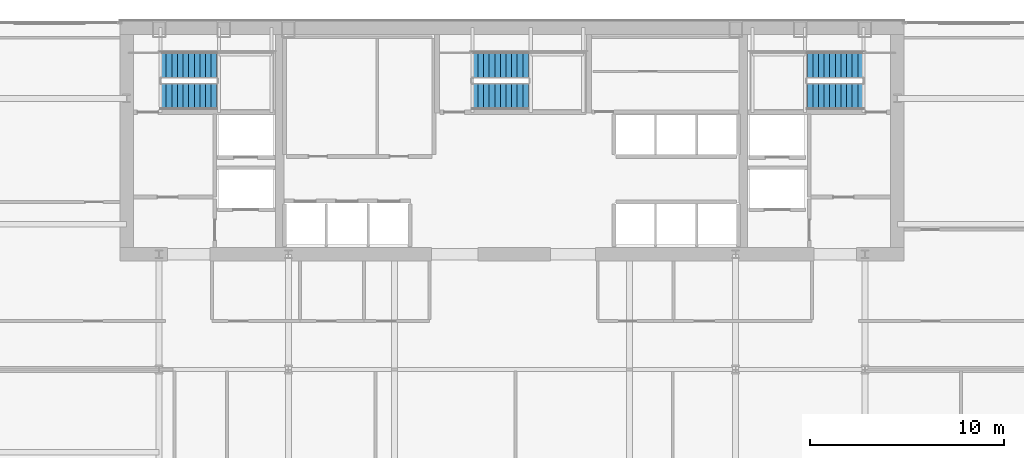
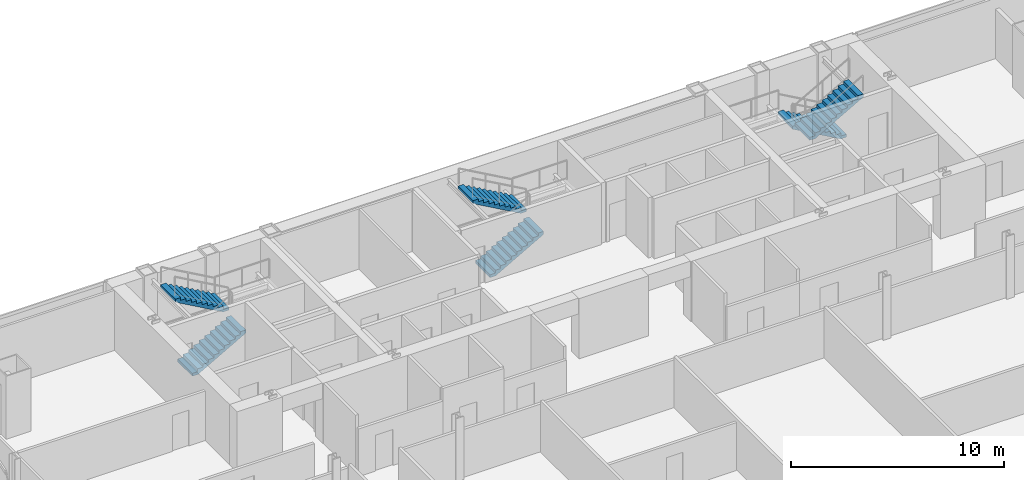
# One storey, part 27 of 29: 6 stair flights, 3 elements without a shape of their own.
"""IFC4 building model written with IfcOpenShell, lengths in metres."""

import ifcopenshell
import ifcopenshell.guid

model = None  # the IFC model being written
_history = None  # IfcOwnerHistory: only IFC2X3 demands one
_inside = {}  # id of a spatial element -> (the spatial element, [elements in it])
_under = {}  # id of a project, library or spatial element -> (it, [spatial elements below it])
_declared = {}  # id of a project -> (the project, [libraries it declares])
_typed = {}  # id of a type object -> (the type object, [elements of that type])
_made_of = {}  # id of a material, layer set ... -> (it, [elements and type objects made of it])


def new_model(schema):
    """Start an empty IFC model of exactly this schema.

    Asked for "IFC4X3", IfcOpenShell would pick the latest addendum, in which some entities
    have other attributes; the version numbers below select the first issue.
    IFC2X3 requires an IfcOwnerHistory on every rooted entity: one is made here for all.
    """
    global model, _history
    if schema == "IFC4X3":
        model = ifcopenshell.file(schema_version=(4, 3, 0, 0))
    else:
        model = ifcopenshell.file(schema=schema)
    _inside.clear()
    _under.clear()
    _declared.clear()
    _typed.clear()
    _made_of.clear()
    _history = None
    if model.schema == "IFC2X3":
        org = make("IfcOrganization", Name="unknown")
        user = make(
            "IfcPersonAndOrganization",
            ThePerson=make("IfcPerson", FamilyName="unknown"),
            TheOrganization=org,
        )
        app = make(
            "IfcApplication",
            ApplicationDeveloper=org,
            Version="unknown",
            ApplicationFullName="unknown",
            ApplicationIdentifier="unknown",
        )
        _history = make(
            "IfcOwnerHistory",
            OwningUser=user,
            OwningApplication=app,
            ChangeAction="ADDED",
            CreationDate=0,
        )
    return model


def make(cls, **values):
    """One entity of the class cls with the attributes given. An attribute that is None is left unset."""
    return model.create_entity(
        cls, **{name: value for name, value in values.items() if value is not None}
    )


def rooted(cls, **values):
    """An entity with a GlobalId (a new one), such as an element, a storey or a relation."""
    return make(cls, GlobalId=ifcopenshell.guid.new(), OwnerHistory=_history, **values)


def si_unit(unit_type, name, prefix=None):
    """IfcSIUnit, for example si_unit("LENGTHUNIT", "METRE", prefix="MILLI")."""
    return make("IfcSIUnit", UnitType=unit_type, Prefix=prefix, Name=name)


def assignment(units):
    """IfcUnitAssignment: the units of a project."""
    return None if units is None else make("IfcUnitAssignment", Units=units)


def point(xyz):
    """IfcCartesianPoint."""
    return None if xyz is None else make("IfcCartesianPoint", Coordinates=xyz)


def direction(xyz):
    """IfcDirection."""
    return None if xyz is None else make("IfcDirection", DirectionRatios=xyz)


def frame(location, z_axis=None, x_axis=None):
    """IfcAxis2Placement3D, a coordinate frame: its origin and axes. An axis left out is left unset."""
    return make(
        "IfcAxis2Placement3D",
        Location=point(location),
        Axis=direction(z_axis),
        RefDirection=direction(x_axis),
    )


def origin():
    """The frame at (0, 0, 0) with its axes left unset."""
    return frame((0.0, 0.0, 0.0))


def place(relative_to, where):
    """IfcLocalPlacement: puts the frame where relative to a parent placement (None: the world)."""
    return make(
        "IfcLocalPlacement", PlacementRelTo=relative_to, RelativePlacement=where
    )


def context(
    kind, dimensions, precision=None, world=None, true_north=None, identifier=None
):
    """IfcGeometricRepresentationContext, for example the 3D "Model" context."""
    return make(
        "IfcGeometricRepresentationContext",
        ContextIdentifier=identifier,
        ContextType=kind,
        CoordinateSpaceDimension=dimensions,
        Precision=precision,
        WorldCoordinateSystem=world,
        TrueNorth=true_north,
    )


def subcontext(parent, identifier, kind, view, scale=None):
    """IfcGeometricRepresentationSubContext, for example "Body" below "Model"."""
    return make(
        "IfcGeometricRepresentationSubContext",
        ContextIdentifier=identifier,
        ContextType=kind,
        ParentContext=parent,
        TargetScale=scale,
        TargetView=view,
    )


def project(units=None, contexts=None):
    """IfcProject with its units and contexts."""
    return rooted(
        "IfcProject",
        Name="project",
        RepresentationContexts=contexts,
        UnitsInContext=assignment(units),
    )


def spatial(cls, under=None, at=None, **own):
    """A site, building, storey or space (cls), placed at a placement, below another one or the project."""
    s = rooted(cls, ObjectPlacement=at, **own)
    if under is not None:
        _under.setdefault(under.id(), (under, []))[1].append(s)
    return s


def polyline(points):
    """IfcPolyline through the points."""
    return make("IfcPolyline", Points=[point(p) for p in points])


def outline(outer, holes=None, kind="AREA"):
    """IfcArbitraryClosedProfileDef: a profile drawn as a closed curve; with holes, ...WithVoids."""
    if holes is None:
        return make("IfcArbitraryClosedProfileDef", ProfileType=kind, OuterCurve=outer)
    return make(
        "IfcArbitraryProfileDefWithVoids",
        ProfileType=kind,
        OuterCurve=outer,
        InnerCurves=holes,
    )


def extrude(swept, where, along, depth):
    """IfcExtrudedAreaSolid: the profile swept, set in the frame where, extruded along a direction by depth."""
    return make(
        "IfcExtrudedAreaSolid",
        SweptArea=swept,
        Position=where,
        ExtrudedDirection=direction(along),
        Depth=depth,
    )


def shape(context_of_items, identifier, shape_type, items):
    """IfcShapeRepresentation: the items that make up one representation, for example the "Body"."""
    return make(
        "IfcShapeRepresentation",
        ContextOfItems=context_of_items,
        RepresentationIdentifier=identifier,
        RepresentationType=shape_type,
        Items=items,
    )


def material(Name=None, Category=None):
    """IfcMaterial."""
    return make("IfcMaterial", Name=Name, Category=Category)


def made_of(thing, what):
    """Note that an element or type object is made of a material, layer set ...; save() writes the relation."""
    if what is not None:
        _made_of.setdefault(what.id(), (what, []))[1].append(thing)
    return thing


def type_object(cls, material=None, **own):
    """A type object (cls), such as IfcWallType, which elements share."""
    return made_of(rooted(cls, **own), material)


def element(
    cls,
    number,
    at=None,
    inside=None,
    cuts=None,
    type_object=None,
    material=None,
    context=None,
    identifier="Body",
    shape_type=None,
    held_by="IfcProductDefinitionShape",
    body=None,
    shapes=None,
    **own,
):
    """One element of the class cls, such as IfcWall. Its Tag is "e" and its number.

    at: its placement. inside: the storey or other place that contains it. cuts: it is an
    opening in that element (IfcRelVoidsElement). A single representation is given by context,
    identifier, shape_type and body (its items); several are given by shapes. held_by: the class
    of the entity that holds the representations. save() writes the other relations.
    """
    e = rooted(cls, Tag="e%d" % number, ObjectPlacement=at, **own)
    if body is not None:
        shapes = [shape(context, identifier, shape_type, body)]
    if shapes is not None:
        e.Representation = make(held_by, Representations=shapes)
    if inside is not None:
        _inside.setdefault(inside.id(), (inside, []))[1].append(e)
    if cuts is not None:
        rooted(
            "IfcRelVoidsElement", RelatingBuildingElement=cuts, RelatedOpeningElement=e
        )
    if type_object is not None:
        _typed.setdefault(type_object.id(), (type_object, []))[1].append(e)
    return made_of(e, material)


def aggregate(whole, parts):
    """IfcRelAggregates: a whole, such as a stair, and the parts it consists of."""
    return rooted("IfcRelAggregates", RelatingObject=whole, RelatedObjects=parts)


def save(model, path):
    """Write the relations noted so far, then the file.

    IfcRelAggregates (storeys below a building ...), IfcRelContainedInSpatialStructure (elements
    in a storey), IfcRelDefinesByType, IfcRelAssociatesMaterial and IfcRelDeclares: one each for
    every whole, place, type object, material and project.
    """
    for whole, parts in _under.values():
        aggregate(whole, parts)
    for where, things in _inside.values():
        rooted(
            "IfcRelContainedInSpatialStructure",
            RelatedElements=things,
            RelatingStructure=where,
        )
    for kind, things in _typed.values():
        rooted("IfcRelDefinesByType", RelatedObjects=things, RelatingType=kind)
    for what, things in _made_of.values():
        rooted("IfcRelAssociatesMaterial", RelatedObjects=things, RelatingMaterial=what)
    for by, libraries in _declared.values():
        rooted("IfcRelDeclares", RelatingContext=by, RelatedDefinitions=libraries)
    model.write(path)


model = new_model("IFC4")

# Units and contexts
model_context = context("Model", 3, precision=1e-05, world=origin(), true_north=direction((0.0, 1.0)))
body_context = subcontext(model_context, "Body", "Model", "MODEL_VIEW")
ifc_project = project(units=[si_unit("LENGTHUNIT", "METRE"), si_unit("AREAUNIT", "SQUARE_METRE"), si_unit("VOLUMEUNIT", "CUBIC_METRE"), si_unit("PLANEANGLEUNIT", "RADIAN"), si_unit("MASSUNIT", "GRAM", prefix="KILO")], contexts=[model_context])

# Site, building, storey
site_placement = place(None, origin())
site = spatial("IfcSite", under=ifc_project, at=site_placement, CompositionType="ELEMENT")
building_placement = place(site_placement, origin())
building = spatial("IfcBuilding", under=site, at=building_placement, Name="Khoronbel Lancet Exchange", CompositionType="ELEMENT")
storey_placement = place(building_placement, frame((0.0, 0.0, 150.60009765625)))
storey = spatial("IfcBuildingStorey", under=building, at=storey_placement, Name="L37", CompositionType="ELEMENT", Elevation=150.60009765625)

# Stair, stair flights
ifc_material = material(Name="Concrete C40/50", Category="concrete")
stair_type = type_object("IfcStairType", Name="STR-CORE150", PredefinedType="HALF_TURN_STAIR", material=ifc_material)
stair_1_placement = place(storey_placement, origin())
stair_1 = element("IfcStair", 1, at=stair_1_placement, inside=storey, type_object=stair_type, Name="L37 Protected Exit Stair ST1", PredefinedType="HALF_TURN_STAIR")
stair_flight_type = type_object("IfcStairFlightType", Name="STF-150", PredefinedType="STRAIGHT", material=ifc_material)
stair_flight_1_placement = place(storey_placement, frame((18.300048828125, 49.81005859375, 0.0), z_axis=(0.0, 0.0, 1.0), x_axis=(1.0, 0.0, 0.0)))
stair_flight_1 = element("IfcStairFlight", 2, at=stair_flight_1_placement, type_object=stair_flight_type, Name="ST1 flight 1", NumberOfRisers=11, NumberOfTreads=10, PredefinedType="STRAIGHT", RiserHeight=0.163636364, TreadLength=0.29, context=body_context, shape_type="SweptSolid", body=[
    extrude(outline(polyline([(0.0, 0.0), (0.0, 0.16357421875), (0.2900390625, 0.16357421875), (0.2900390625, 0.327392578125), (0.580078125, 0.327392578125), (0.580078125, 0.490966796875), (0.8701171875, 0.490966796875), (0.8701171875, 0.654541015625), (1.159912109375, 0.654541015625), (1.159912109375, 0.818115234375), (1.449951171875, 0.818115234375), (1.449951171875, 0.98193359375), (1.739990234375, 0.98193359375), (1.739990234375, 1.1455078125), (2.030029296875, 1.1455078125), (2.030029296875, 1.30908203125), (2.320068359375, 1.30908203125), (2.320068359375, 1.47265625), (2.610107421875, 1.47265625), (2.610107421875, 1.636474609375), (2.89990234375, 1.636474609375), (2.89990234375, 1.800048828125), (2.89990234375, 1.46435546875), (0.304931640625, 0.0), (0.0, 0.0)])), frame((0.0, 0.68994140625, 0.0), z_axis=(0.0, -1.0, 0.0), x_axis=(1.0, 0.0, 0.0)), (0.0, 0.0, 1.0), 1.3798828125),
])
stair_flight_2_placement = place(storey_placement, frame((21.199951171875, 51.409912109375, 1.7998046875), z_axis=(0.0, 0.0, 1.0), x_axis=(-1.0, 0.0, 0.0)))
stair_flight_2 = element("IfcStairFlight", 3, at=stair_flight_2_placement, type_object=stair_flight_type, Name="ST1 flight 2", NumberOfRisers=11, NumberOfTreads=10, PredefinedType="STRAIGHT", RiserHeight=0.163636364, TreadLength=0.29, context=body_context, shape_type="SweptSolid", body=[
    extrude(outline(polyline([(0.0, 0.0), (0.0, 0.16357421875), (0.2900390625, 0.16357421875), (0.2900390625, 0.327392578125), (0.580078125, 0.327392578125), (0.580078125, 0.490966796875), (0.8701171875, 0.490966796875), (0.8701171875, 0.654541015625), (1.159912109375, 0.654541015625), (1.159912109375, 0.818115234375), (1.449951171875, 0.818115234375), (1.449951171875, 0.98193359375), (1.739990234375, 0.98193359375), (1.739990234375, 1.1455078125), (2.030029296875, 1.1455078125), (2.030029296875, 1.30908203125), (2.320068359375, 1.30908203125), (2.320068359375, 1.47265625), (2.610107421875, 1.47265625), (2.610107421875, 1.636474609375), (2.89990234375, 1.636474609375), (2.89990234375, 1.800048828125), (2.89990234375, 1.46435546875), (0.304931640625, 0.0), (0.0, 0.0)])), frame((0.0, 0.68994140625, 0.0), z_axis=(0.0, -1.0, 0.0), x_axis=(1.0, 0.0, 0.0)), (0.0, 0.0, 1.0), 1.3798828125),
])
aggregate(stair_1, [stair_flight_1, stair_flight_2])

stair_2_placement = place(storey_placement, origin())
stair_2 = element("IfcStair", 4, at=stair_2_placement, inside=storey, type_object=stair_type, Name="L37 Protected Exit Stair ST2", PredefinedType="HALF_TURN_STAIR")
stair_flight_3_placement = place(storey_placement, frame((54.60009765625, 51.409912109375, 0.0), z_axis=(0.0, 0.0, 1.0), x_axis=(-1.0, 0.0, 0.0)))
stair_flight_3 = element("IfcStairFlight", 5, at=stair_flight_3_placement, type_object=stair_flight_type, Name="ST2 flight 1", NumberOfRisers=11, NumberOfTreads=10, PredefinedType="STRAIGHT", RiserHeight=0.163636364, TreadLength=0.29, context=body_context, shape_type="SweptSolid", body=[
    extrude(outline(polyline([(0.0, 0.0), (0.0, 0.16357421875), (0.2900390625, 0.16357421875), (0.2900390625, 0.327392578125), (0.580078125, 0.327392578125), (0.580078125, 0.490966796875), (0.8701171875, 0.490966796875), (0.8701171875, 0.654541015625), (1.159912109375, 0.654541015625), (1.159912109375, 0.818115234375), (1.449951171875, 0.818115234375), (1.449951171875, 0.98193359375), (1.739990234375, 0.98193359375), (1.739990234375, 1.1455078125), (2.030029296875, 1.1455078125), (2.030029296875, 1.30908203125), (2.320068359375, 1.30908203125), (2.320068359375, 1.47265625), (2.610107421875, 1.47265625), (2.610107421875, 1.636474609375), (2.89990234375, 1.636474609375), (2.89990234375, 1.800048828125), (2.89990234375, 1.46435546875), (0.304931640625, 0.0), (0.0, 0.0)])), frame((0.0, 0.68994140625, 0.0), z_axis=(0.0, -1.0, 0.0), x_axis=(1.0, 0.0, 0.0)), (0.0, 0.0, 1.0), 1.3798828125),
])
stair_flight_4_placement = place(storey_placement, frame((51.699951171875, 49.81005859375, 1.7998046875), z_axis=(0.0, 0.0, 1.0), x_axis=(1.0, 0.0, 0.0)))
stair_flight_4 = element("IfcStairFlight", 6, at=stair_flight_4_placement, type_object=stair_flight_type, Name="ST2 flight 2", NumberOfRisers=11, NumberOfTreads=10, PredefinedType="STRAIGHT", RiserHeight=0.163636364, TreadLength=0.29, context=body_context, shape_type="SweptSolid", body=[
    extrude(outline(polyline([(0.0, 0.0), (0.0, 0.16357421875), (0.2900390625, 0.16357421875), (0.2900390625, 0.327392578125), (0.580078125, 0.327392578125), (0.580078125, 0.490966796875), (0.8701171875, 0.490966796875), (0.8701171875, 0.654541015625), (1.159912109375, 0.654541015625), (1.159912109375, 0.818115234375), (1.449951171875, 0.818115234375), (1.449951171875, 0.98193359375), (1.739990234375, 0.98193359375), (1.739990234375, 1.1455078125), (2.030029296875, 1.1455078125), (2.030029296875, 1.30908203125), (2.320068359375, 1.30908203125), (2.320068359375, 1.47265625), (2.610107421875, 1.47265625), (2.610107421875, 1.636474609375), (2.89990234375, 1.636474609375), (2.89990234375, 1.800048828125), (2.89990234375, 1.46435546875), (0.304931640625, 0.0), (0.0, 0.0)])), frame((0.0, 0.68994140625, 0.0), z_axis=(0.0, -1.0, 0.0), x_axis=(1.0, 0.0, 0.0)), (0.0, 0.0, 1.0), 1.3798828125),
])
aggregate(stair_2, [stair_flight_3, stair_flight_4])

stair_3_placement = place(storey_placement, origin())
stair_3 = element("IfcStair", 7, at=stair_3_placement, inside=storey, type_object=stair_type, Name="L37 Protected Exit Stair ST3", PredefinedType="HALF_TURN_STAIR")
stair_flight_5_placement = place(storey_placement, frame((34.39990234375, 49.81005859375, 0.0), z_axis=(0.0, 0.0, 1.0), x_axis=(1.0, 0.0, 0.0)))
stair_flight_5 = element("IfcStairFlight", 8, at=stair_flight_5_placement, type_object=stair_flight_type, Name="ST3 flight 1", NumberOfRisers=11, NumberOfTreads=10, PredefinedType="STRAIGHT", RiserHeight=0.163636364, TreadLength=0.29, context=body_context, shape_type="SweptSolid", body=[
    extrude(outline(polyline([(0.0, 0.0), (0.0, 0.16357421875), (0.2900390625, 0.16357421875), (0.2900390625, 0.327392578125), (0.580078125, 0.327392578125), (0.580078125, 0.490966796875), (0.8701171875, 0.490966796875), (0.8701171875, 0.654541015625), (1.159912109375, 0.654541015625), (1.159912109375, 0.818115234375), (1.449951171875, 0.818115234375), (1.449951171875, 0.98193359375), (1.739990234375, 0.98193359375), (1.739990234375, 1.1455078125), (2.030029296875, 1.1455078125), (2.030029296875, 1.30908203125), (2.320068359375, 1.30908203125), (2.320068359375, 1.47265625), (2.610107421875, 1.47265625), (2.610107421875, 1.636474609375), (2.89990234375, 1.636474609375), (2.89990234375, 1.800048828125), (2.89990234375, 1.46435546875), (0.304931640625, 0.0), (0.0, 0.0)])), frame((0.0, 0.68994140625, 0.0), z_axis=(0.0, -1.0, 0.0), x_axis=(1.0, 0.0, 0.0)), (0.0, 0.0, 1.0), 1.3798828125),
])
stair_flight_6_placement = place(storey_placement, frame((37.300048828125, 51.409912109375, 1.7998046875), z_axis=(0.0, 0.0, 1.0), x_axis=(-1.0, 0.0, 0.0)))
stair_flight_6 = element("IfcStairFlight", 9, at=stair_flight_6_placement, type_object=stair_flight_type, Name="ST3 flight 2", NumberOfRisers=11, NumberOfTreads=10, PredefinedType="STRAIGHT", RiserHeight=0.163636364, TreadLength=0.29, context=body_context, shape_type="SweptSolid", body=[
    extrude(outline(polyline([(0.0, 0.0), (0.0, 0.16357421875), (0.2900390625, 0.16357421875), (0.2900390625, 0.327392578125), (0.580078125, 0.327392578125), (0.580078125, 0.490966796875), (0.8701171875, 0.490966796875), (0.8701171875, 0.654541015625), (1.159912109375, 0.654541015625), (1.159912109375, 0.818115234375), (1.449951171875, 0.818115234375), (1.449951171875, 0.98193359375), (1.739990234375, 0.98193359375), (1.739990234375, 1.1455078125), (2.030029296875, 1.1455078125), (2.030029296875, 1.30908203125), (2.320068359375, 1.30908203125), (2.320068359375, 1.47265625), (2.610107421875, 1.47265625), (2.610107421875, 1.636474609375), (2.89990234375, 1.636474609375), (2.89990234375, 1.800048828125), (2.89990234375, 1.46435546875), (0.304931640625, 0.0), (0.0, 0.0)])), frame((0.0, 0.68994140625, 0.0), z_axis=(0.0, -1.0, 0.0), x_axis=(1.0, 0.0, 0.0)), (0.0, 0.0, 1.0), 1.3798828125),
])
aggregate(stair_3, [stair_flight_5, stair_flight_6])

save(model, "model.ifc")
